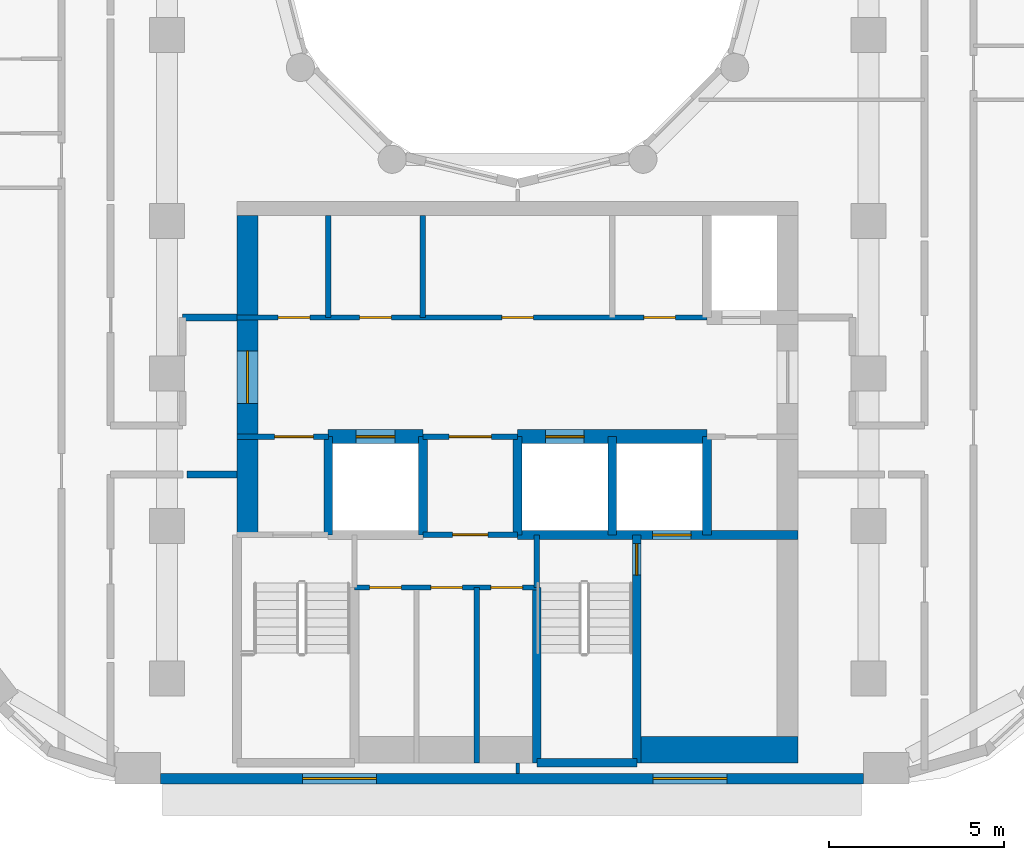
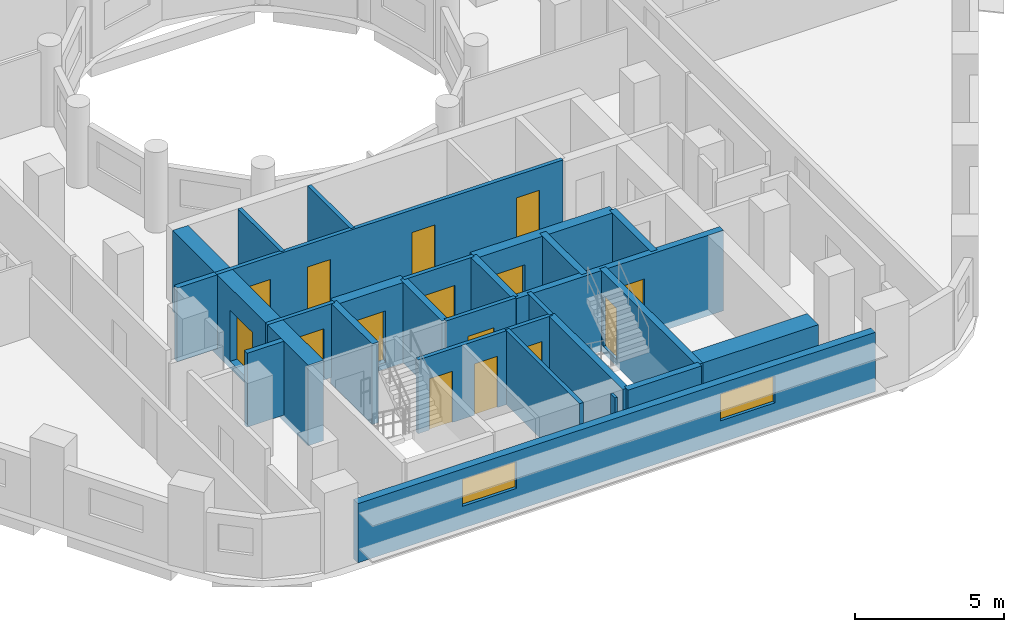
# One storey, part 3 of 13: 26 walls, 15 doors, 2 windows, 17 openings.
"""IFC4 building model written with IfcOpenShell, lengths in metres."""

from ifc_helpers import new_model, si_unit, direction, frame, frame_2d, origin, place, context, subcontext, project, spatial, rectangle, extrude, material, layer, layer_set, type_object, element, fill, save


model = new_model("IFC4")

# Units and contexts
model_context = context("Model", 3, precision=1e-05, world=origin(), true_north=direction((0.0, 1.0)))
body_context = subcontext(model_context, "Body", "Model", "MODEL_VIEW")
ifc_project = project(units=[si_unit("LENGTHUNIT", "METRE"), si_unit("AREAUNIT", "SQUARE_METRE"), si_unit("VOLUMEUNIT", "CUBIC_METRE"), si_unit("PLANEANGLEUNIT", "RADIAN"), si_unit("MASSUNIT", "GRAM", prefix="KILO")], contexts=[model_context])

# Site, building, storey
site_placement = place(None, origin())
site = spatial("IfcSite", under=ifc_project, at=site_placement, CompositionType="ELEMENT")
building_placement = place(site_placement, origin())
building = spatial("IfcBuilding", under=site, at=building_placement, Name="Nakaniwa Court", CompositionType="ELEMENT")
storey_placement = place(building_placement, frame((0.0, 0.0, 143.699951171875)))
storey = spatial("IfcBuildingStorey", under=building, at=storey_placement, Name="L37", CompositionType="ELEMENT", Elevation=143.699951171875)

# Walls
ifc_material_1 = material(Name="Acoustic double stud partition")
ifc_layer_1 = layer(ifc_material_1, 0.199951171875)
ifc_layer_set_1 = layer_set([ifc_layer_1], Name="Acoustic double stud partition")
wall_type_1 = type_object("IfcWallType", Name="Acoustic double stud partition 200", PredefinedType="PARTITIONING", material=ifc_layer_set_1)
wall_1_placement = place(storey_placement, frame((70.5771484375, 64.824951171875, 0.0), z_axis=(0.0, 0.0, 1.0), x_axis=(1.0, 0.0, 0.0)))
element("IfcWall", 1, at=wall_1_placement, inside=storey, type_object=wall_type_1, Name="Partition PW-080", PredefinedType="PARTITIONING", context=body_context, shape_type="SweptSolid", body=[
    extrude(rectangle(XDim=1.4228515625, YDim=0.199951171875, at=frame_2d((0.71142578125, 0.0))), origin(), (0.0, 0.0, 1.0), 3.025146484375),
])
wall_2_placement = place(storey_placement, frame((70.449951171875, 69.300048828125, 0.0), z_axis=(0.0, 0.0, 1.0), x_axis=(1.0, 0.0, 0.0)))
element("IfcWall", 2, at=wall_2_placement, inside=storey, type_object=wall_type_1, Name="Partition PW-084", PredefinedType="PARTITIONING", context=body_context, shape_type="SweptSolid", body=[
    extrude(rectangle(XDim=1.550048828125, YDim=0.199951171875, at=frame_2d((0.77490234375, 0.0))), origin(), (0.0, 0.0, 1.0), 3.025146484375),
])

# Wall, openings, windows
ifc_material_2 = material(Name="Charcoal ceramic cladding")
ifc_layer_2 = layer(ifc_material_2, 0.02, Name="Ceramic cladding")
ifc_material_3 = material(Name="Ventilated air cavity")
ifc_layer_3 = layer(ifc_material_3, 0.04, ventilated=True, Name="Ventilated cavity")
ifc_material_4 = material(Name="Mineral wool insulation")
ifc_layer_4 = layer(ifc_material_4, 0.1, Name="Insulation")
ifc_material_5 = material(Name="Cement bonded sheathing board")
ifc_layer_5 = layer(ifc_material_5, 0.012, Name="Sheathing")
ifc_material_6 = material(Name="Cold-formed galvanised stud frame with mineral wool infill")
ifc_layer_6 = layer(ifc_material_6, 0.1, Name="Stud frame")
ifc_material_7 = material(Name="Fire-rated gypsum plasterboard lining")
ifc_layer_7 = layer(ifc_material_7, 0.028, Name="Lining")
ifc_layer_set_2 = layer_set([ifc_layer_2, ifc_layer_3, ifc_layer_4, ifc_layer_5, ifc_layer_6, ifc_layer_7], Name="Charcoal ceramic faced external wall system")
wall_type_2 = type_object("IfcWallType", Name="Black ceramic faced external wall 300", PredefinedType="SOLIDWALL", material=ifc_layer_set_2)
wall_3_placement = place(storey_placement, frame((69.8212890625, 56.14990234375, 0.0), z_axis=(0.0, 0.0, 1.0), x_axis=(1.0, 0.0, 0.0)))
wall_3 = element("IfcWall", 3, at=wall_3_placement, inside=storey, type_object=wall_type_2, Name="L37 external wall 26", PredefinedType="SOLIDWALL", context=body_context, shape_type="SweptSolid", body=[
    extrude(rectangle(XDim=20.039794921875, YDim=0.300048828125, at=frame_2d((10.02001953125, 0.0))), origin(), (0.0, 0.0, 1.0), 2.425048828125),
])
opening_1_placement = place(wall_3_placement, frame((4.05126953125, 0.0, 0.89990234375)))
opening_1 = element("IfcOpeningElement", 4, at=opening_1_placement, cuts=wall_3, Name="Opening W7.27", PredefinedType="OPENING", context=body_context, shape_type="SweptSolid", body=[
    extrude(rectangle(XDim=2.10009765625, YDim=1.10009765625, at=frame_2d((1.050048828125, 0.550048828125))), frame((0.0, 0.159912109375, 0.0), z_axis=(0.0, -1.0, 0.0), x_axis=(1.0, 0.0, 0.0)), (0.0, 0.0, 1.0), 0.320068359375),
])
opening_2_placement = place(wall_3_placement, frame((14.047119140625, 0.0, 0.89990234375)))
opening_2 = element("IfcOpeningElement", 5, at=opening_2_placement, cuts=wall_3, Name="Opening W7.28", PredefinedType="OPENING", context=body_context, shape_type="SweptSolid", body=[
    extrude(rectangle(XDim=2.10009765625, YDim=1.10009765625, at=frame_2d((1.050048828125, 0.550048828125))), frame((0.0, 0.159912109375, 0.0), z_axis=(0.0, -1.0, 0.0), x_axis=(1.0, 0.0, 0.0)), (0.0, 0.0, 1.0), 0.320068359375),
])
ifc_material_8 = material(Name="Black anodised aluminium frame with dark low-E laminated double glazing", Category="aluminium")
window_type = type_object("IfcWindowType", Name="Dark glass window 2100x1100 sill 900", PartitioningType="SINGLE_PANEL", PredefinedType="WINDOW", material=ifc_material_8)
window_1_placement = place(opening_1_placement, origin())
window_1 = element("IfcWindow", 6, at=window_1_placement, inside=storey, type_object=window_type, Name="L37 habitable room window 26-0", OverallHeight=1.10009765625, OverallWidth=2.10009765625, PartitioningType="SINGLE_PANEL", PredefinedType="WINDOW", context=body_context, shape_type="SweptSolid", body=[
    extrude(rectangle(XDim=2.10009765625, YDim=1.10009765625, at=frame_2d((1.050048828125, 0.550048828125))), frame((0.0, 0.030029296875, 0.0), z_axis=(0.0, -1.0, 0.0), x_axis=(1.0, 0.0, 0.0)), (0.0, 0.0, 1.0), 0.06005859375),
])
fill(opening_1, window_1)
window_2_placement = place(opening_2_placement, origin())
window_2 = element("IfcWindow", 7, at=window_2_placement, inside=storey, type_object=window_type, Name="L37 habitable room window 26-1", OverallHeight=1.10009765625, OverallWidth=2.10009765625, PartitioningType="SINGLE_PANEL", PredefinedType="WINDOW", context=body_context, shape_type="SweptSolid", body=[
    extrude(rectangle(XDim=2.10009765625, YDim=1.10009765625, at=frame_2d((1.050048828125, 0.550048828125))), frame((0.0, 0.030029296875, 0.0), z_axis=(0.0, -1.0, 0.0), x_axis=(1.0, 0.0, 0.0)), (0.0, 0.0, 1.0), 0.06005859375),
])
fill(opening_2, window_2)

# Wall
ifc_material_9 = material(Name="Blockwork partition", Category="masonry")
ifc_layer_8 = layer(ifc_material_9, 0.14990234375)
ifc_layer_set_3 = layer_set([ifc_layer_8], Name="Blockwork partition")
wall_type_3 = type_object("IfcWallType", Name="Blockwork partition 150", PredefinedType="PARTITIONING", material=ifc_layer_set_3)
wall_4_placement = place(storey_placement, frame((74.60009765625, 69.300048828125, 0.0), z_axis=(0.0, 0.0, 1.0), x_axis=(0.0, 1.0, 0.0)))
element("IfcWall", 8, at=wall_4_placement, inside=storey, type_object=wall_type_3, Name="Partition PW-036", PredefinedType="PARTITIONING", context=body_context, shape_type="SweptSolid", body=[
    extrude(rectangle(XDim=2.89990234375, YDim=0.14990234375, at=frame_2d((1.449951171875, 0.0))), origin(), (0.0, 0.0, 1.0), 3.025146484375),
])

# Wall, openings, doors
wall_5_placement = place(storey_placement, frame((72.0, 69.300048828125, 0.0), z_axis=(0.0, 0.0, 1.0), x_axis=(1.0, 0.0, 0.0)))
wall_5 = element("IfcWall", 9, at=wall_5_placement, inside=storey, type_object=wall_type_3, Name="Partition PW-037", PredefinedType="PARTITIONING", context=body_context, shape_type="SweptSolid", body=[
    extrude(rectangle(XDim=13.39990234375, YDim=0.14990234375, at=frame_2d((6.699951171875, 0.0))), origin(), (0.0, 0.0, 1.0), 3.025146484375),
])
opening_3_placement = place(wall_5_placement, frame((1.175048828125, 0.0, 0.0)))
opening_3 = element("IfcOpeningElement", 10, at=opening_3_placement, cuts=wall_5, Name="Opening D-05-09", PredefinedType="OPENING", context=body_context, shape_type="SweptSolid", body=[
    extrude(rectangle(XDim=0.89990234375, YDim=2.10009765625, at=frame_2d((0.449951171875, 1.050048828125))), frame((0.0, 0.0849609375, 0.0), z_axis=(0.0, -1.0, 0.0), x_axis=(1.0, 0.0, 0.0)), (0.0, 0.0, 1.0), 0.169921875),
])
opening_4_placement = place(wall_5_placement, frame((3.5, 0.0, 0.0)))
opening_4 = element("IfcOpeningElement", 11, at=opening_4_placement, cuts=wall_5, Name="Opening D-05-10", PredefinedType="OPENING", context=body_context, shape_type="SweptSolid", body=[
    extrude(rectangle(XDim=0.89990234375, YDim=2.10009765625, at=frame_2d((0.449951171875, 1.050048828125))), frame((0.0, 0.0849609375, 0.0), z_axis=(0.0, -1.0, 0.0), x_axis=(1.0, 0.0, 0.0)), (0.0, 0.0, 1.0), 0.169921875),
])
opening_5_placement = place(wall_5_placement, frame((7.550048828125, 0.0, 0.0)))
opening_5 = element("IfcOpeningElement", 12, at=opening_5_placement, cuts=wall_5, Name="Opening D-05-11", PredefinedType="OPENING", context=body_context, shape_type="SweptSolid", body=[
    extrude(rectangle(XDim=0.89990234375, YDim=2.10009765625, at=frame_2d((0.449951171875, 1.050048828125))), frame((0.0, 0.0849609375, 0.0), z_axis=(0.0, -1.0, 0.0), x_axis=(1.0, 0.0, 0.0)), (0.0, 0.0, 1.0), 0.169921875),
])
opening_6_placement = place(wall_5_placement, frame((11.60009765625, 0.0, 0.0)))
opening_6 = element("IfcOpeningElement", 13, at=opening_6_placement, cuts=wall_5, Name="Opening D-05-12", PredefinedType="OPENING", context=body_context, shape_type="SweptSolid", body=[
    extrude(rectangle(XDim=0.89990234375, YDim=2.10009765625, at=frame_2d((0.449951171875, 1.050048828125))), frame((0.0, 0.0849609375, 0.0), z_axis=(0.0, -1.0, 0.0), x_axis=(1.0, 0.0, 0.0)), (0.0, 0.0, 1.0), 0.169921875),
])
ifc_material_10 = material(Name="Fire rated steel door set", Category="steel")
door_type_1 = type_object("IfcDoorType", Name="Service room door 900", OperationType="NOTDEFINED", PredefinedType="DOOR", material=ifc_material_10)
door_1_placement = place(opening_3_placement, origin())
door_1 = element("IfcDoor", 14, at=door_1_placement, inside=storey, type_object=door_type_1, Name="Door D-05-09 L37-014", OperationType="SINGLE_SWING_LEFT", OverallHeight=2.10009765625, OverallWidth=0.89990234375, PredefinedType="DOOR", context=body_context, shape_type="SweptSolid", body=[
    extrude(rectangle(XDim=0.89990234375, YDim=2.10009765625, at=frame_2d((0.449951171875, 1.050048828125))), frame((0.0, 0.02490234375, 0.0), z_axis=(0.0, -1.0, 0.0), x_axis=(1.0, 0.0, 0.0)), (0.0, 0.0, 1.0), 0.050048828125),
])
fill(opening_3, door_1)
door_2_placement = place(opening_4_placement, origin())
door_2 = element("IfcDoor", 15, at=door_2_placement, inside=storey, type_object=door_type_1, Name="Door D-05-10 L37-015", OperationType="SINGLE_SWING_RIGHT", OverallHeight=2.10009765625, OverallWidth=0.89990234375, PredefinedType="DOOR", context=body_context, shape_type="SweptSolid", body=[
    extrude(rectangle(XDim=0.89990234375, YDim=2.10009765625, at=frame_2d((0.449951171875, 1.050048828125))), frame((0.0, 0.02490234375, 0.0), z_axis=(0.0, -1.0, 0.0), x_axis=(1.0, 0.0, 0.0)), (0.0, 0.0, 1.0), 0.050048828125),
])
fill(opening_4, door_2)
door_3_placement = place(opening_5_placement, origin())
door_3 = element("IfcDoor", 16, at=door_3_placement, inside=storey, type_object=door_type_1, Name="Door D-05-11 L37-016", OperationType="SINGLE_SWING_LEFT", OverallHeight=2.10009765625, OverallWidth=0.89990234375, PredefinedType="DOOR", context=body_context, shape_type="SweptSolid", body=[
    extrude(rectangle(XDim=0.89990234375, YDim=2.10009765625, at=frame_2d((0.449951171875, 1.050048828125))), frame((0.0, 0.02490234375, 0.0), z_axis=(0.0, -1.0, 0.0), x_axis=(1.0, 0.0, 0.0)), (0.0, 0.0, 1.0), 0.050048828125),
])
fill(opening_5, door_3)
door_4_placement = place(opening_6_placement, origin())
door_4 = element("IfcDoor", 17, at=door_4_placement, inside=storey, type_object=door_type_1, Name="Door D-05-12 L37-017", OperationType="SINGLE_SWING_RIGHT", OverallHeight=2.10009765625, OverallWidth=0.89990234375, PredefinedType="DOOR", context=body_context, shape_type="SweptSolid", body=[
    extrude(rectangle(XDim=0.89990234375, YDim=2.10009765625, at=frame_2d((0.449951171875, 1.050048828125))), frame((0.0, 0.02490234375, 0.0), z_axis=(0.0, -1.0, 0.0), x_axis=(1.0, 0.0, 0.0)), (0.0, 0.0, 1.0), 0.050048828125),
])
fill(opening_6, door_4)

# Wall
wall_6_placement = place(storey_placement, frame((77.300048828125, 69.300048828125, 0.0), z_axis=(0.0, 0.0, 1.0), x_axis=(0.0, 1.0, 0.0)))
element("IfcWall", 18, at=wall_6_placement, inside=storey, type_object=wall_type_3, Name="Partition PW-043", PredefinedType="PARTITIONING", context=body_context, shape_type="SweptSolid", body=[
    extrude(rectangle(XDim=2.89990234375, YDim=0.14990234375, at=frame_2d((1.449951171875, 0.0))), origin(), (0.0, 0.0, 1.0), 3.025146484375),
])

# Wall, opening, door
wall_7_placement = place(storey_placement, frame((74.60302734375, 65.89990234375, 0.0), z_axis=(0.0, 0.0, 1.0), x_axis=(-1.0, 0.0, 0.0)))
wall_7 = element("IfcWall", 19, at=wall_7_placement, inside=storey, type_object=wall_type_3, Name="Partition PW-045", PredefinedType="PARTITIONING", context=body_context, shape_type="SweptSolid", body=[
    extrude(rectangle(XDim=2.60302734375, YDim=0.14990234375, at=frame_2d((1.301513671875, 0.0))), origin(), (0.0, 0.0, 1.0), 3.025146484375),
])
opening_7_placement = place(wall_7_placement, frame((0.427978515625, 0.0, 0.0)))
opening_7 = element("IfcOpeningElement", 20, at=opening_7_placement, cuts=wall_7, Name="Opening D-08-02", PredefinedType="OPENING", context=body_context, shape_type="SweptSolid", body=[
    extrude(rectangle(XDim=1.10009765625, YDim=2.10009765625, at=frame_2d((0.550048828125, 1.050048828125))), frame((0.0, 0.0849609375, 0.0), z_axis=(0.0, -1.0, 0.0), x_axis=(1.0, 0.0, 0.0)), (0.0, 0.0, 1.0), 0.169921875),
])
door_type_2 = type_object("IfcDoorType", Name="Stair lobby door 1100", OperationType="NOTDEFINED", PredefinedType="DOOR", material=ifc_material_10)
door_5_placement = place(opening_7_placement, origin())
door_5 = element("IfcDoor", 21, at=door_5_placement, inside=storey, type_object=door_type_2, Name="Door D-08-02 L37-018", OperationType="SINGLE_SWING_LEFT", OverallHeight=2.10009765625, OverallWidth=1.10009765625, PredefinedType="DOOR", context=body_context, shape_type="SweptSolid", body=[
    extrude(rectangle(XDim=1.10009765625, YDim=2.10009765625, at=frame_2d((0.550048828125, 1.050048828125))), frame((0.0, 0.02490234375, 0.0), z_axis=(0.0, -1.0, 0.0), x_axis=(1.0, 0.0, 0.0)), (0.0, 0.0, 1.0), 0.050048828125),
])
fill(opening_7, door_5)

wall_8_placement = place(storey_placement, frame((80.0029296875, 65.89990234375, 0.0), z_axis=(0.0, 0.0, 1.0), x_axis=(-1.0, 0.0, 0.0)))
wall_8 = element("IfcWall", 22, at=wall_8_placement, inside=storey, type_object=wall_type_3, Name="Partition PW-046", PredefinedType="PARTITIONING", context=body_context, shape_type="SweptSolid", body=[
    extrude(rectangle(XDim=2.705810546875, YDim=0.14990234375, at=frame_2d((1.35302734375, 0.0))), origin(), (0.0, 0.0, 1.0), 3.025146484375),
])
opening_8_placement = place(wall_8_placement, frame((0.7529296875, 0.0, 0.0)))
opening_8 = element("IfcOpeningElement", 23, at=opening_8_placement, cuts=wall_8, Name="Opening D-06-02", PredefinedType="OPENING", context=body_context, shape_type="SweptSolid", body=[
    extrude(rectangle(XDim=1.199951171875, YDim=2.10009765625, at=frame_2d((0.60009765625, 1.050048828125))), frame((0.0, 0.0849609375, 0.0), z_axis=(0.0, -1.0, 0.0), x_axis=(1.0, 0.0, 0.0)), (0.0, 0.0, 1.0), 0.169921875),
])
ifc_material_11 = material(Name="Fire rated steel double door set", Category="steel")
door_type_3 = type_object("IfcDoorType", Name="Service passage double door 1200", OperationType="NOTDEFINED", PredefinedType="DOOR", material=ifc_material_11)
door_6_placement = place(opening_8_placement, origin())
door_6 = element("IfcDoor", 24, at=door_6_placement, inside=storey, type_object=door_type_3, Name="Door D-06-02 L37-019", OperationType="DOUBLE_DOOR_SINGLE_SWING", OverallHeight=2.10009765625, OverallWidth=1.199951171875, PredefinedType="DOOR", context=body_context, shape_type="SweptSolid", body=[
    extrude(rectangle(XDim=1.199951171875, YDim=2.10009765625, at=frame_2d((0.60009765625, 1.050048828125))), frame((0.0, 0.02490234375, 0.0), z_axis=(0.0, -1.0, 0.0), x_axis=(1.0, 0.0, 0.0)), (0.0, 0.0, 1.0), 0.050048828125),
])
fill(opening_8, door_6)

wall_9_placement = place(storey_placement, frame((80.0, 63.10009765625, 0.0), z_axis=(0.0, 0.0, 1.0), x_axis=(-1.0, 0.0, 0.0)))
wall_9 = element("IfcWall", 25, at=wall_9_placement, inside=storey, type_object=wall_type_3, Name="Partition PW-056", PredefinedType="PARTITIONING", context=body_context, shape_type="SweptSolid", body=[
    extrude(rectangle(XDim=2.699951171875, YDim=0.14990234375, at=frame_2d((1.35009765625, 0.0))), origin(), (0.0, 0.0, 1.0), 3.025146484375),
])
opening_9_placement = place(wall_9_placement, frame((0.85009765625, 0.0, 0.0)))
opening_9 = element("IfcOpeningElement", 26, at=opening_9_placement, cuts=wall_9, Name="Opening D-23-02", PredefinedType="OPENING", context=body_context, shape_type="SweptSolid", body=[
    extrude(rectangle(XDim=1.0, YDim=2.10009765625, at=frame_2d((0.5, 1.050048828125))), frame((0.0, 0.0849609375, 0.0), z_axis=(0.0, -1.0, 0.0), x_axis=(1.0, 0.0, 0.0)), (0.0, 0.0, 1.0), 0.169921875),
])
door_type_4 = type_object("IfcDoorType", Name="Service room door 1000", OperationType="NOTDEFINED", PredefinedType="DOOR", material=ifc_material_10)
door_7_placement = place(opening_9_placement, origin())
door_7 = element("IfcDoor", 27, at=door_7_placement, inside=storey, type_object=door_type_4, Name="Door D-23-02 L37-021", OperationType="SINGLE_SWING_RIGHT", OverallHeight=2.10009765625, OverallWidth=1.0, PredefinedType="DOOR", context=body_context, shape_type="SweptSolid", body=[
    extrude(rectangle(XDim=1.0, YDim=2.10009765625, at=frame_2d((0.5, 1.050048828125))), frame((0.0, 0.02490234375, 0.0), z_axis=(0.0, -1.0, 0.0), x_axis=(1.0, 0.0, 0.0)), (0.0, 0.0, 1.0), 0.050048828125),
])
fill(opening_9, door_7)

# Wall, openings, doors
wall_10_placement = place(storey_placement, frame((80.550048828125, 61.60009765625, 0.0), z_axis=(0.0, 0.0, 1.0), x_axis=(-1.0, 0.0, 0.0)))
wall_10 = element("IfcWall", 28, at=wall_10_placement, inside=storey, type_object=wall_type_3, Name="Partition PW-068", PredefinedType="PARTITIONING", context=body_context, shape_type="SweptSolid", body=[
    extrude(rectangle(XDim=5.199951171875, YDim=0.14990234375, at=frame_2d((2.60009765625, 0.0))), origin(), (0.0, 0.0, 1.0), 3.025146484375),
])
opening_10_placement = place(wall_10_placement, frame((3.865966796875, 0.0, 0.0)))
opening_10 = element("IfcOpeningElement", 29, at=opening_10_placement, cuts=wall_10, Name="Opening D-05-14", PredefinedType="OPENING", context=body_context, shape_type="SweptSolid", body=[
    extrude(rectangle(XDim=0.89990234375, YDim=2.10009765625, at=frame_2d((0.449951171875, 1.050048828125))), frame((0.0, 0.0849609375, 0.0), z_axis=(0.0, -1.0, 0.0), x_axis=(1.0, 0.0, 0.0)), (0.0, 0.0, 1.0), 0.169921875),
])
opening_11_placement = place(wall_10_placement, frame((2.1240234375, 0.0, 0.0)))
opening_11 = element("IfcOpeningElement", 30, at=opening_11_placement, cuts=wall_10, Name="Opening D-05-15", PredefinedType="OPENING", context=body_context, shape_type="SweptSolid", body=[
    extrude(rectangle(XDim=0.89990234375, YDim=2.10009765625, at=frame_2d((0.449951171875, 1.050048828125))), frame((0.0, 0.0849609375, 0.0), z_axis=(0.0, -1.0, 0.0), x_axis=(1.0, 0.0, 0.0)), (0.0, 0.0, 1.0), 0.169921875),
])
opening_12_placement = place(wall_10_placement, frame((0.407958984375, 0.0, 0.0)))
opening_12 = element("IfcOpeningElement", 31, at=opening_12_placement, cuts=wall_10, Name="Opening D-05-16", PredefinedType="OPENING", context=body_context, shape_type="SweptSolid", body=[
    extrude(rectangle(XDim=0.89990234375, YDim=2.10009765625, at=frame_2d((0.449951171875, 1.050048828125))), frame((0.0, 0.0849609375, 0.0), z_axis=(0.0, -1.0, 0.0), x_axis=(1.0, 0.0, 0.0)), (0.0, 0.0, 1.0), 0.169921875),
])
door_8_placement = place(opening_10_placement, origin())
door_8 = element("IfcDoor", 32, at=door_8_placement, inside=storey, type_object=door_type_1, Name="Door D-05-14 L37-022", OperationType="SINGLE_SWING_LEFT", OverallHeight=2.10009765625, OverallWidth=0.89990234375, PredefinedType="DOOR", context=body_context, shape_type="SweptSolid", body=[
    extrude(rectangle(XDim=0.89990234375, YDim=2.10009765625, at=frame_2d((0.449951171875, 1.050048828125))), frame((0.0, 0.02490234375, 0.0), z_axis=(0.0, -1.0, 0.0), x_axis=(1.0, 0.0, 0.0)), (0.0, 0.0, 1.0), 0.050048828125),
])
fill(opening_10, door_8)
door_9_placement = place(opening_11_placement, origin())
door_9 = element("IfcDoor", 33, at=door_9_placement, inside=storey, type_object=door_type_1, Name="Door D-05-15 L37-023", OperationType="SINGLE_SWING_RIGHT", OverallHeight=2.10009765625, OverallWidth=0.89990234375, PredefinedType="DOOR", context=body_context, shape_type="SweptSolid", body=[
    extrude(rectangle(XDim=0.89990234375, YDim=2.10009765625, at=frame_2d((0.449951171875, 1.050048828125))), frame((0.0, 0.02490234375, 0.0), z_axis=(0.0, -1.0, 0.0), x_axis=(1.0, 0.0, 0.0)), (0.0, 0.0, 1.0), 0.050048828125),
])
fill(opening_11, door_9)
door_10_placement = place(opening_12_placement, origin())
door_10 = element("IfcDoor", 34, at=door_10_placement, inside=storey, type_object=door_type_1, Name="Door D-05-16 L37-024", OperationType="SINGLE_SWING_LEFT", OverallHeight=2.10009765625, OverallWidth=0.89990234375, PredefinedType="DOOR", context=body_context, shape_type="SweptSolid", body=[
    extrude(rectangle(XDim=0.89990234375, YDim=2.10009765625, at=frame_2d((0.449951171875, 1.050048828125))), frame((0.0, 0.02490234375, 0.0), z_axis=(0.0, -1.0, 0.0), x_axis=(1.0, 0.0, 0.0)), (0.0, 0.0, 1.0), 0.050048828125),
])
fill(opening_12, door_10)

# Wall
wall_11_placement = place(storey_placement, frame((78.833984375, 56.60009765625, 0.0), z_axis=(0.0, 0.0, 1.0), x_axis=(0.0, 1.0, 0.0)))
element("IfcWall", 35, at=wall_11_placement, inside=storey, type_object=wall_type_3, Name="Partition PW-070", PredefinedType="PARTITIONING", context=body_context, shape_type="SweptSolid", body=[
    extrude(rectangle(XDim=5.0, YDim=0.14990234375, at=frame_2d((2.5, 0.0))), origin(), (0.0, 0.0, 1.0), 3.025146484375),
])

# Wall, opening, door
ifc_material_12 = material(Name="Concrete C80/100", Category="concrete")
ifc_layer_9 = layer(ifc_material_12, 0.60009765625)
ifc_layer_set_4 = layer_set([ifc_layer_9], Name="Concrete C80/100")
wall_type_4 = type_object("IfcWallType", Name="Concrete core side wall 600 C80", PredefinedType="SHEAR", material=ifc_layer_set_4)
wall_12_placement = place(storey_placement, frame((72.300048828125, 63.10009765625, -0.27490234375), z_axis=(0.0, 0.0, 1.0), x_axis=(0.0, 1.0, 0.0)))
wall_12 = element("IfcWall", 36, at=wall_12_placement, inside=storey, type_object=wall_type_4, Name="Core wall SW-38", PredefinedType="SHEAR", context=body_context, shape_type="SweptSolid", body=[
    extrude(rectangle(XDim=9.099853515625, YDim=0.60009765625, at=frame_2d((4.5498046875, 0.0))), origin(), (0.0, 0.0, 1.0), 3.300048828125),
])
opening_13_placement = place(wall_12_placement, frame((3.748046875, 0.0, 0.27490234375)))
opening_13 = element("IfcOpeningElement", 37, at=opening_13_placement, cuts=wall_12, Name="Opening D-07-04", PredefinedType="OPENING", context=body_context, shape_type="SweptSolid", body=[
    extrude(rectangle(XDim=1.5, YDim=2.10009765625, at=frame_2d((0.75, 1.050048828125))), frame((0.0, 0.31005859375, 0.0), z_axis=(0.0, -1.0, 0.0), x_axis=(1.0, 0.0, 0.0)), (0.0, 0.0, 1.0), 0.6201171875),
])
ifc_material_13 = material(Name="Glazed fire rated steel double door set", Category="steel")
door_type_5 = type_object("IfcDoorType", Name="Lobby double door 1500", OperationType="NOTDEFINED", PredefinedType="DOOR", material=ifc_material_13)
door_11_placement = place(opening_13_placement, origin())
door_11 = element("IfcDoor", 38, at=door_11_placement, inside=storey, type_object=door_type_5, Name="Door D-07-04 L37-057", OperationType="DOUBLE_DOOR_SINGLE_SWING", OverallHeight=2.10009765625, OverallWidth=1.5, PredefinedType="DOOR", context=body_context, shape_type="SweptSolid", body=[
    extrude(rectangle(XDim=1.5, YDim=2.10009765625, at=frame_2d((0.75, 1.050048828125))), frame((0.0, 0.02490234375, 0.0), z_axis=(0.0, -1.0, 0.0), x_axis=(1.0, 0.0, 0.0)), (0.0, 0.0, 1.0), 0.050048828125),
])
fill(opening_13, door_11)

ifc_layer_10 = layer(ifc_material_12, 0.39990234375)
ifc_layer_set_5 = layer_set([ifc_layer_10], Name="Concrete C80/100")
wall_type_5 = type_object("IfcWallType", Name="Concrete core spine wall 400 C80", PredefinedType="SHEAR", material=ifc_layer_set_5)
wall_13_placement = place(storey_placement, frame((74.596923828125, 65.89990234375, -0.27490234375), z_axis=(0.0, 0.0, 1.0), x_axis=(1.0, 0.0, 0.0)))
wall_13 = element("IfcWall", 39, at=wall_13_placement, inside=storey, type_object=wall_type_5, Name="Core wall SW-48", PredefinedType="SHEAR", context=body_context, shape_type="SweptSolid", body=[
    extrude(rectangle(XDim=2.7060546875, YDim=0.39990234375, at=frame_2d((1.35302734375, 0.0))), origin(), (0.0, 0.0, 1.0), 3.300048828125),
])
opening_14_placement = place(wall_13_placement, frame((0.802978515625, 0.0, 0.27490234375)))
opening_14 = element("IfcOpeningElement", 40, at=opening_14_placement, cuts=wall_13, Name="Opening LD06", PredefinedType="OPENING", context=body_context, shape_type="SweptSolid", body=[
    extrude(rectangle(XDim=1.10009765625, YDim=2.10009765625, at=frame_2d((0.550048828125, 1.050048828125))), frame((0.0, 0.2099609375, 0.0), z_axis=(0.0, -1.0, 0.0), x_axis=(1.0, 0.0, 0.0)), (0.0, 0.0, 1.0), 0.419921875),
])
ifc_material_14 = material(Name="Stainless steel sliding lift landing door", Category="steel")
door_type_6 = type_object("IfcDoorType", Name="Lift landing door 1100", OperationType="NOTDEFINED", PredefinedType="DOOR", material=ifc_material_14)
door_12_placement = place(opening_14_placement, origin())
door_12 = element("IfcDoor", 41, at=door_12_placement, inside=storey, type_object=door_type_6, Name="Lift landing door LD06 L37-006", OperationType="SLIDING_TO_LEFT", OverallHeight=2.10009765625, OverallWidth=1.10009765625, PredefinedType="DOOR", context=body_context, shape_type="SweptSolid", body=[
    extrude(rectangle(XDim=1.10009765625, YDim=2.10009765625, at=frame_2d((0.550048828125, 1.050048828125))), frame((0.0, 0.02490234375, 0.0), z_axis=(0.0, -1.0, 0.0), x_axis=(1.0, 0.0, 0.0)), (0.0, 0.0, 1.0), 0.050048828125),
])
fill(opening_14, door_12)

wall_14_placement = place(storey_placement, frame((79.9970703125, 65.89990234375, -0.27490234375), z_axis=(0.0, 0.0, 1.0), x_axis=(1.0, 0.0, 0.0)))
wall_14 = element("IfcWall", 42, at=wall_14_placement, inside=storey, type_object=wall_type_5, Name="Core wall SW-49", PredefinedType="SHEAR", context=body_context, shape_type="SweptSolid", body=[
    extrude(rectangle(XDim=5.406005859375, YDim=0.39990234375, at=frame_2d((2.703125, 0.0))), origin(), (0.0, 0.0, 1.0), 3.300048828125),
])
opening_15_placement = place(wall_14_placement, frame((0.802978515625, 0.0, 0.27490234375)))
opening_15 = element("IfcOpeningElement", 43, at=opening_15_placement, cuts=wall_14, Name="Opening LD07", PredefinedType="OPENING", context=body_context, shape_type="SweptSolid", body=[
    extrude(rectangle(XDim=1.10009765625, YDim=2.10009765625, at=frame_2d((0.550048828125, 1.050048828125))), frame((0.0, 0.2099609375, 0.0), z_axis=(0.0, -1.0, 0.0), x_axis=(1.0, 0.0, 0.0)), (0.0, 0.0, 1.0), 0.419921875),
])
door_13_placement = place(opening_15_placement, origin())
door_13 = element("IfcDoor", 44, at=door_13_placement, inside=storey, type_object=door_type_6, Name="Lift landing door LD07 L37-007", OperationType="SLIDING_TO_LEFT", OverallHeight=2.10009765625, OverallWidth=1.10009765625, PredefinedType="DOOR", context=body_context, shape_type="SweptSolid", body=[
    extrude(rectangle(XDim=1.10009765625, YDim=2.10009765625, at=frame_2d((0.550048828125, 1.050048828125))), frame((0.0, 0.02490234375, 0.0), z_axis=(0.0, -1.0, 0.0), x_axis=(1.0, 0.0, 0.0)), (0.0, 0.0, 1.0), 0.050048828125),
])
fill(opening_15, door_13)

# Walls
ifc_layer_11 = layer(ifc_material_12, 0.14990234375)
ifc_layer_set_6 = layer_set([ifc_layer_11], Name="Concrete C80/100")
wall_type_6 = type_object("IfcWallType", Name="Concrete core wall 150 C80", PredefinedType="SHEAR", material=ifc_layer_set_6)
wall_15_placement = place(storey_placement, frame((80.550048828125, 61.596923828125, -0.27490234375), z_axis=(0.0, 0.0, 1.0), x_axis=(0.0, 1.0, 0.0)))
element("IfcWall", 45, at=wall_15_placement, inside=storey, type_object=wall_type_6, Name="Core wall SW-64", PredefinedType="SHEAR", context=body_context, shape_type="SweptSolid", body=[
    extrude(rectangle(XDim=1.503173828125, YDim=0.14990234375, at=frame_2d((0.75146484375, 0.0))), origin(), (0.0, 0.0, 1.0), 3.300048828125),
])
ifc_layer_12 = layer(ifc_material_12, 0.25)
ifc_layer_set_7 = layer_set([ifc_layer_12], Name="Concrete C80/100")
wall_type_7 = type_object("IfcWallType", Name="Concrete core wall 250 C80", PredefinedType="SHEAR", material=ifc_layer_set_7)
wall_16_placement = place(storey_placement, frame((80.550048828125, 56.60009765625, -0.27490234375), z_axis=(0.0, 0.0, 1.0), x_axis=(1.0, 0.0, 0.0)))
element("IfcWall", 46, at=wall_16_placement, inside=storey, type_object=wall_type_7, Name="Core wall SW-62", PredefinedType="SHEAR", context=body_context, shape_type="SweptSolid", body=[
    extrude(rectangle(XDim=2.849853515625, YDim=0.25, at=frame_2d((1.4248046875, 0.0))), origin(), (0.0, 0.0, 1.0), 3.300048828125),
])
ifc_layer_13 = layer(ifc_material_12, 0.75)
ifc_layer_set_8 = layer_set([ifc_layer_13], Name="Concrete C80/100")
wall_type_8 = type_object("IfcWallType", Name="Concrete core wall 750 C80", PredefinedType="SHEAR", material=ifc_layer_set_8)
wall_17_placement = place(storey_placement, frame((83.39990234375, 56.97509765625, -0.27490234375), z_axis=(0.0, 0.0, 1.0), x_axis=(1.0, 0.0, 0.0)))
element("IfcWall", 47, at=wall_17_placement, inside=storey, type_object=wall_type_8, Name="Core wall SW-67", PredefinedType="SHEAR", context=body_context, shape_type="SweptSolid", body=[
    extrude(rectangle(XDim=4.60009765625, YDim=0.75, at=frame_2d((2.300048828125, 0.0))), origin(), (0.0, 0.0, 1.0), 3.300048828125),
])
ifc_layer_14 = layer(ifc_material_12, 0.25)
ifc_layer_set_9 = layer_set([ifc_layer_14], Name="Concrete C80/100")
wall_type_9 = type_object("IfcWallType", Name="Concrete shaft wall 250 C80", PredefinedType="SHEAR", material=ifc_layer_set_9)
for number, where, z_axis, x_axis, name in (
    (48, (85.39990234375, 63.10009765625, -0.27490234375), (0.0, 0.0, 1.0), (0.0, 1.0, 0.0), "Core wall SW-39"),
    (49, (74.60009765625, 63.10009765625, -0.27490234375), (0.0, 0.0, 1.0), (0.0, 1.0, 0.0), "Core wall SW-50"),
    (50, (77.300048828125, 63.10009765625, -0.27490234375), (0.0, 0.0, 1.0), (0.0, 1.0, 0.0), "Core wall SW-52"),
):
    element("IfcWall", number, at=place(storey_placement, frame(where, z_axis=z_axis, x_axis=x_axis)), inside=storey, type_object=wall_type_9, Name=name, PredefinedType="SHEAR", context=body_context, shape_type="SweptSolid", body=[
        extrude(rectangle(XDim=2.7998046875, YDim=0.25, at=frame_2d((1.39990234375, 0.0))), origin(), (0.0, 0.0, 1.0), 3.300048828125),
    ])

# Wall, opening, door
wall_18_placement = place(storey_placement, frame((80.0, 63.10009765625, -0.27490234375), z_axis=(0.0, 0.0, 1.0), x_axis=(1.0, 0.0, 0.0)))
wall_18 = element("IfcWall", 51, at=wall_18_placement, inside=storey, type_object=wall_type_9, Name="Core wall SW-54", PredefinedType="SHEAR", context=body_context, shape_type="SweptSolid", body=[
    extrude(rectangle(XDim=8.0, YDim=0.25, at=frame_2d((4.0, 0.0))), origin(), (0.0, 0.0, 1.0), 3.300048828125),
])
opening_16_placement = place(wall_18_placement, frame((3.84912109375, 0.0, 0.27490234375)))
opening_16 = element("IfcOpeningElement", 52, at=opening_16_placement, cuts=wall_18, Name="Opening LD08", PredefinedType="OPENING", context=body_context, shape_type="SweptSolid", body=[
    extrude(rectangle(XDim=1.10009765625, YDim=2.10009765625, at=frame_2d((0.550048828125, 1.050048828125))), frame((0.0, 0.135009765625, 0.0), z_axis=(0.0, -1.0, 0.0), x_axis=(1.0, 0.0, 0.0)), (0.0, 0.0, 1.0), 0.27001953125),
])
door_14_placement = place(opening_16_placement, origin())
door_14 = element("IfcDoor", 53, at=door_14_placement, inside=storey, type_object=door_type_6, Name="Lift landing door LD08 L37-008", OperationType="SLIDING_TO_LEFT", OverallHeight=2.10009765625, OverallWidth=1.10009765625, PredefinedType="DOOR", context=body_context, shape_type="SweptSolid", body=[
    extrude(rectangle(XDim=1.10009765625, YDim=2.10009765625, at=frame_2d((0.550048828125, 1.050048828125))), frame((0.0, 0.02490234375, 0.0), z_axis=(0.0, -1.0, 0.0), x_axis=(1.0, 0.0, 0.0)), (0.0, 0.0, 1.0), 0.050048828125),
])
fill(opening_16, door_14)

# Walls
for number, where, z_axis, x_axis, name in (
    (54, (80.0, 63.10009765625, -0.27490234375), (0.0, 0.0, 1.0), (0.0, 1.0, 0.0), "Core wall SW-55"),
    (55, (82.699951171875, 63.10009765625, -0.27490234375), (0.0, 0.0, 1.0), (0.0, 1.0, 0.0), "Core wall SW-57"),
):
    element("IfcWall", number, at=place(storey_placement, frame(where, z_axis=z_axis, x_axis=x_axis)), inside=storey, type_object=wall_type_9, Name=name, PredefinedType="SHEAR", context=body_context, shape_type="SweptSolid", body=[
        extrude(rectangle(XDim=2.7998046875, YDim=0.25, at=frame_2d((1.39990234375, 0.0))), origin(), (0.0, 0.0, 1.0), 3.300048828125),
    ])

# Wall, opening, door
wall_19_placement = place(storey_placement, frame((83.39990234375, 63.10009765625, -0.27490234375), z_axis=(0.0, 0.0, 1.0), x_axis=(0.0, -1.0, 0.0)))
wall_19 = element("IfcWall", 56, at=wall_19_placement, inside=storey, type_object=wall_type_9, Name="Core wall SW-63", PredefinedType="SHEAR", context=body_context, shape_type="SweptSolid", body=[
    extrude(rectangle(XDim=6.5, YDim=0.25, at=frame_2d((3.25, 0.0))), origin(), (0.0, 0.0, 1.0), 3.300048828125),
])
opening_17_placement = place(wall_19_placement, frame((0.25, 0.0, 0.27490234375)))
opening_17 = element("IfcOpeningElement", 57, at=opening_17_placement, cuts=wall_19, Name="Opening D-11-02", PredefinedType="OPENING", context=body_context, shape_type="SweptSolid", body=[
    extrude(rectangle(XDim=0.89990234375, YDim=2.10009765625, at=frame_2d((0.449951171875, 1.050048828125))), frame((0.0, 0.135009765625, 0.0), z_axis=(0.0, -1.0, 0.0), x_axis=(1.0, 0.0, 0.0)), (0.0, 0.0, 1.0), 0.27001953125),
])
door_type_7 = type_object("IfcDoorType", Name="Stair door 900", OperationType="NOTDEFINED", PredefinedType="DOOR", material=ifc_material_10)
door_15_placement = place(opening_17_placement, origin())
door_15 = element("IfcDoor", 58, at=door_15_placement, inside=storey, type_object=door_type_7, Name="Door D-11-02 L37-026", OperationType="SINGLE_SWING_RIGHT", OverallHeight=2.10009765625, OverallWidth=0.89990234375, PredefinedType="DOOR", context=body_context, shape_type="SweptSolid", body=[
    extrude(rectangle(XDim=0.89990234375, YDim=2.10009765625, at=frame_2d((0.449951171875, 1.050048828125))), frame((0.0, 0.02490234375, 0.0), z_axis=(0.0, -1.0, 0.0), x_axis=(1.0, 0.0, 0.0)), (0.0, 0.0, 1.0), 0.050048828125),
])
fill(opening_17, door_15)

# Walls
wall_20_placement = place(storey_placement, frame((80.550048828125, 56.60009765625, -0.27490234375), z_axis=(0.0, 0.0, 1.0), x_axis=(0.0, 1.0, 0.0)))
element("IfcWall", 59, at=wall_20_placement, inside=storey, type_object=wall_type_9, Name="Core wall SW-65", PredefinedType="SHEAR", context=body_context, shape_type="SweptSolid", body=[
    extrude(rectangle(XDim=5.0029296875, YDim=0.25, at=frame_2d((2.50146484375, 0.0))), origin(), (0.0, 0.0, 1.0), 3.300048828125),
])
ifc_material_15 = material(Name="Single stud plasterboard partition")
ifc_layer_15 = layer(ifc_material_15, 0.10009765625)
ifc_layer_set_10 = layer_set([ifc_layer_15], Name="Single stud plasterboard partition")
wall_type_10 = type_object("IfcWallType", Name="Single stud plasterboard partition 100", PredefinedType="PARTITIONING", material=ifc_layer_set_10)
wall_21_placement = place(storey_placement, frame((80.0, 56.300048828125, 0.0), z_axis=(0.0, 0.0, 1.0), x_axis=(0.0, 1.0, 0.0)))
element("IfcWall", 60, at=wall_21_placement, inside=storey, type_object=wall_type_10, Name="Partition PW-113", PredefinedType="PARTITIONING", context=body_context, shape_type="SweptSolid", body=[
    extrude(rectangle(XDim=0.300048828125, YDim=0.10009765625, at=frame_2d((0.14990234375, 0.0))), origin(), (0.0, 0.0, 1.0), 3.025146484375),
])

save(model, "model.ifc")
